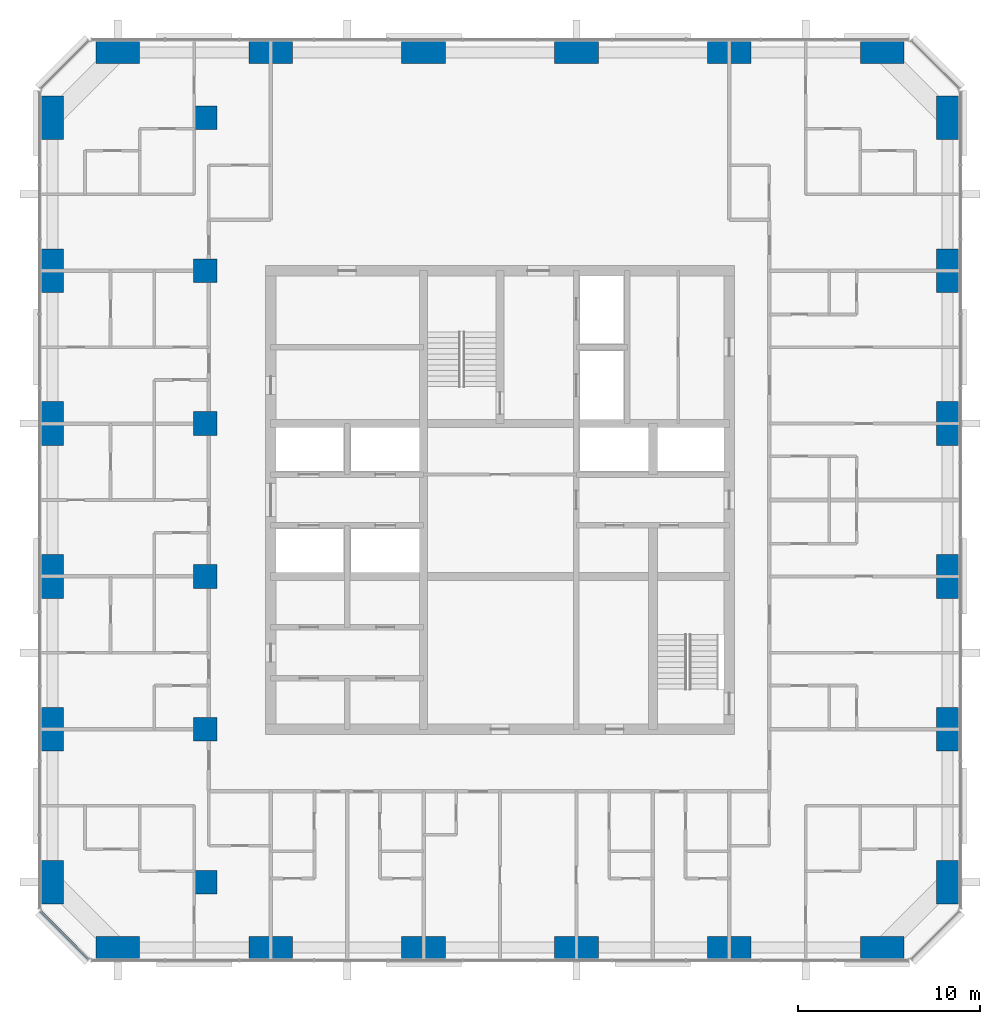
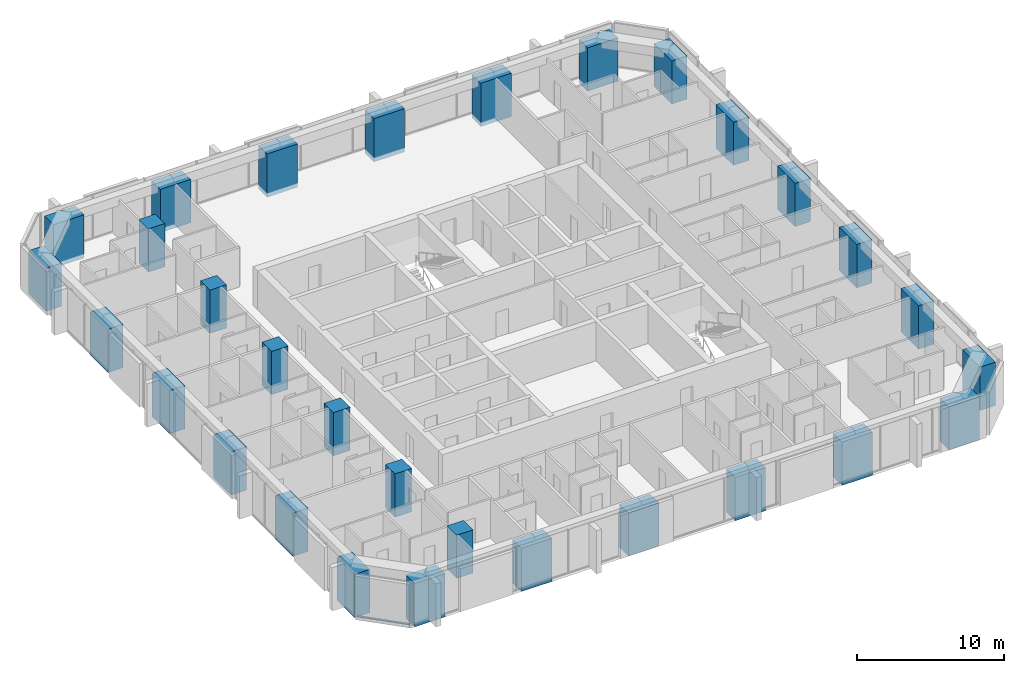
# One storey, part 1 of 14: 30 columns, 1 member, 1 element without a shape of its own.
"""IFC4 building model written with IfcOpenShell, lengths in metres."""

from ifc_helpers import new_model, si_unit, direction, frame, origin, origin_2d, place, context, subcontext, project, spatial, rectangle, extrude, material, material_profile, profile_set, type_object, element, aggregate, save


model = new_model("IFC4")

# Units and contexts
model_context = context("Model", 3, precision=1e-05, world=origin(), true_north=direction((0.0, 1.0)))
body_context = subcontext(model_context, "Body", "Model", "MODEL_VIEW")
ifc_project = project(units=[si_unit("LENGTHUNIT", "METRE"), si_unit("AREAUNIT", "SQUARE_METRE"), si_unit("VOLUMEUNIT", "CUBIC_METRE"), si_unit("PLANEANGLEUNIT", "RADIAN"), si_unit("MASSUNIT", "GRAM", prefix="KILO")], contexts=[model_context])

# Site, building, storey
site_placement = place(None, origin())
site = spatial("IfcSite", under=ifc_project, at=site_placement, CompositionType="ELEMENT")
building_placement = place(site_placement, origin())
building = spatial("IfcBuilding", under=site, at=building_placement, Name="Dunama Terrace Hotel", CompositionType="ELEMENT")
storey_placement = place(building_placement, frame((0.0, 0.0, 202.199951171875)))
storey = spatial("IfcBuildingStorey", under=building, at=storey_placement, Name="L52", CompositionType="ELEMENT", Elevation=202.199951171875)

# Columns
ifc_material_1 = material(Name="Concrete C60/75", Category="concrete")
ifc_material_profile_1 = material_profile(ifc_material_1, rectangle(XDim=1.199951171875, YDim=2.39990234375, at=origin_2d()), Name="RC 1200x2400")
ifc_profile_set_1 = profile_set([ifc_material_profile_1], Name="Concrete C60/75")
column_type_1 = type_object("IfcColumnType", Name="Column RC 1200x2400", PredefinedType="COLUMN", material=ifc_profile_set_1)
for number, where, z_axis, x_axis, name in (
    (1, (4.800048828125, 8.39990234375, -0.349853515625), (0.0, 0.0, 1.0), (1.0, 0.0, 0.0), "Column L52 +4.8/+8.4"),
    (2, (4.800048828125, 16.800048828125, -0.349853515625), (0.0, 0.0, 1.0), (1.0, 0.0, 0.0), "Column L52 +4.8/+16.8"),
    (3, (4.800048828125, 25.199951171875, -0.349853515625), (0.0, 0.0, 1.0), (1.0, 0.0, 0.0), "Column L52 +4.8/+25.2"),
    (4, (4.800048828125, 33.60009765625, -0.349853515625), (0.0, 0.0, 1.0), (1.0, 0.0, 0.0), "Column L52 +4.8/+33.6"),
    (5, (4.800048828125, 42.0, -0.349853515625), (0.0, 0.0, 1.0), (1.0, 0.0, 0.0), "Column L52 +4.8/+42.0"),
    (6, (4.800048828125, 50.39990234375, -0.349853515625), (0.0, 0.0, 1.0), (1.0, 0.0, 0.0), "Column L52 +4.8/+50.4"),
    (7, (54.0, 8.39990234375, -0.349853515625), (0.0, 0.0, 1.0), (1.0, 0.0, 0.0), "Column L52 +54.0/+8.4"),
    (8, (54.0, 16.800048828125, -0.349853515625), (0.0, 0.0, 1.0), (1.0, 0.0, 0.0), "Column L52 +54.0/+16.8"),
    (9, (54.0, 25.199951171875, -0.349853515625), (0.0, 0.0, 1.0), (1.0, 0.0, 0.0), "Column L52 +54.0/+25.2"),
    (10, (54.0, 33.60009765625, -0.349853515625), (0.0, 0.0, 1.0), (1.0, 0.0, 0.0), "Column L52 +54.0/+33.6"),
    (11, (54.0, 42.0, -0.349853515625), (0.0, 0.0, 1.0), (1.0, 0.0, 0.0), "Column L52 +54.0/+42.0"),
    (12, (54.0, 50.39990234375, -0.349853515625), (0.0, 0.0, 1.0), (1.0, 0.0, 0.0), "Column L52 +54.0/+50.4"),
):
    element("IfcColumn", number, at=place(storey_placement, frame(where, z_axis=z_axis, x_axis=x_axis)), inside=storey, type_object=column_type_1, Name=name, PredefinedType="COLUMN", context=body_context, shape_type="SweptSolid", body=[
        extrude(rectangle(XDim=1.199951171875, YDim=2.39990234375, at=origin_2d()), origin(), (0.0, 0.0, 1.0), 3.599853515625),
    ])
ifc_material_2 = material(Name="Concrete C60/75", Category="concrete")
ifc_material_profile_2 = material_profile(ifc_material_2, rectangle(XDim=1.300048828125, YDim=1.300048828125, at=origin_2d()), Name="RC 1300x1300")
ifc_profile_set_2 = profile_set([ifc_material_profile_2], Name="Concrete C60/75")
column_type_2 = type_object("IfcColumnType", Name="Column RC 1300x1300", PredefinedType="COLUMN", material=ifc_profile_set_2)
for number, where, z_axis, x_axis, name in (
    (13, (13.199951171875, 8.39990234375, -0.349853515625), (0.0, 0.0, 1.0), (1.0, 0.0, 0.0), "Column L52 +13.2/+8.4"),
    (14, (13.199951171875, 16.800048828125, -0.349853515625), (0.0, 0.0, 1.0), (1.0, 0.0, 0.0), "Column L52 +13.2/+16.8"),
    (15, (13.199951171875, 25.199951171875, -0.349853515625), (0.0, 0.0, 1.0), (1.0, 0.0, 0.0), "Column L52 +13.2/+25.2"),
    (16, (13.199951171875, 33.60009765625, -0.349853515625), (0.0, 0.0, 1.0), (1.0, 0.0, 0.0), "Column L52 +13.2/+33.6"),
    (17, (13.199951171875, 42.0, -0.349853515625), (0.0, 0.0, 1.0), (1.0, 0.0, 0.0), "Column L52 +13.2/+42.0"),
    (18, (13.199951171875, 50.39990234375, -0.349853515625), (0.0, 0.0, 1.0), (1.0, 0.0, 0.0), "Column L52 +13.2/+50.4"),
):
    element("IfcColumn", number, at=place(storey_placement, frame(where, z_axis=z_axis, x_axis=x_axis)), inside=storey, type_object=column_type_2, Name=name, PredefinedType="COLUMN", context=body_context, shape_type="SweptSolid", body=[
        extrude(rectangle(XDim=1.300048828125, YDim=1.300048828125, at=origin_2d()), origin(), (0.0, 0.0, 1.0), 3.599853515625),
    ])
ifc_material_3 = material(Name="Concrete C60/75", Category="concrete")
ifc_material_profile_3 = material_profile(ifc_material_3, rectangle(XDim=2.39990234375, YDim=1.199951171875, at=origin_2d()), Name="RC 2400x1200")
ifc_profile_set_3 = profile_set([ifc_material_profile_3], Name="Concrete C60/75")
column_type_3 = type_object("IfcColumnType", Name="Column RC 2400x1200", PredefinedType="COLUMN", material=ifc_profile_set_3)
for number, where, z_axis, x_axis, name in (
    (19, (8.39990234375, 4.800048828125, -0.349853515625), (0.0, 0.0, 1.0), (1.0, 0.0, 0.0), "Column L52 +8.4/+4.8"),
    (20, (8.39990234375, 54.0, -0.349853515625), (0.0, 0.0, 1.0), (1.0, 0.0, 0.0), "Column L52 +8.4/+54.0"),
    (21, (16.800048828125, 4.800048828125, -0.349853515625), (0.0, 0.0, 1.0), (1.0, 0.0, 0.0), "Column L52 +16.8/+4.8"),
    (22, (16.800048828125, 54.0, -0.349853515625), (0.0, 0.0, 1.0), (1.0, 0.0, 0.0), "Column L52 +16.8/+54.0"),
    (23, (25.199951171875, 4.800048828125, -0.349853515625), (0.0, 0.0, 1.0), (1.0, 0.0, 0.0), "Column L52 +25.2/+4.8"),
    (24, (25.199951171875, 54.0, -0.349853515625), (0.0, 0.0, 1.0), (1.0, 0.0, 0.0), "Column L52 +25.2/+54.0"),
    (25, (33.60009765625, 4.800048828125, -0.349853515625), (0.0, 0.0, 1.0), (1.0, 0.0, 0.0), "Column L52 +33.6/+4.8"),
    (26, (33.60009765625, 54.0, -0.349853515625), (0.0, 0.0, 1.0), (1.0, 0.0, 0.0), "Column L52 +33.6/+54.0"),
    (27, (42.0, 4.800048828125, -0.349853515625), (0.0, 0.0, 1.0), (1.0, 0.0, 0.0), "Column L52 +42.0/+4.8"),
    (28, (42.0, 54.0, -0.349853515625), (0.0, 0.0, 1.0), (1.0, 0.0, 0.0), "Column L52 +42.0/+54.0"),
    (29, (50.39990234375, 4.800048828125, -0.349853515625), (0.0, 0.0, 1.0), (1.0, 0.0, 0.0), "Column L52 +50.4/+4.8"),
    (30, (50.39990234375, 54.0, -0.349853515625), (0.0, 0.0, 1.0), (1.0, 0.0, 0.0), "Column L52 +50.4/+54.0"),
):
    element("IfcColumn", number, at=place(storey_placement, frame(where, z_axis=z_axis, x_axis=x_axis)), inside=storey, type_object=column_type_3, Name=name, PredefinedType="COLUMN", context=body_context, shape_type="SweptSolid", body=[
        extrude(rectangle(XDim=2.39990234375, YDim=1.199951171875, at=origin_2d()), origin(), (0.0, 0.0, 1.0), 3.599853515625),
    ])

# Curtain wall, member
ifc_material_4 = material(Name="Aluminium curtain wall system", Category="aluminium")
curtain_wall_type = type_object("IfcCurtainWallType", Name="Unitised fritted glass wall CW-C", PredefinedType="NOTDEFINED", material=ifc_material_4)
curtain_wall_placement = place(storey_placement, origin())
curtain_wall = element("IfcCurtainWall", 31, at=curtain_wall_placement, inside=storey, type_object=curtain_wall_type, Name="Unitised fritted glass wall CW-C L52", PredefinedType="NOTDEFINED")
ifc_material_5 = material(Name="Aluminium transom", Category="aluminium")
ifc_material_profile_4 = material_profile(ifc_material_5, rectangle(XDim=0.159912109375, YDim=0.080078125, at=origin_2d()), Name="CWC TRANSOM 160X80")
ifc_profile_set_4 = profile_set([ifc_material_profile_4], Name="Aluminium transom")
member_type = type_object("IfcMemberType", Name="CWC transom 160x80", PredefinedType="USERDEFINED", material=ifc_profile_set_4)
member_placement = place(storey_placement, frame((4.178955078125, 6.780029296875, 0.0400390625), z_axis=(0.707106781187, -0.707106781187, 0.0), x_axis=(0.707106781187, 0.707106781187, 0.0)))
member = element("IfcMember", 32, at=member_placement, type_object=member_type, Name="CWC transom", ObjectType="TRANSOM", PredefinedType="USERDEFINED", context=body_context, shape_type="SweptSolid", body=[
    extrude(rectangle(XDim=0.159912109375, YDim=0.080078125, at=origin_2d()), origin(), (0.0, 0.0, 1.0), 3.678466796875),
])
aggregate(curtain_wall, [member])

save(model, "model.ifc")
